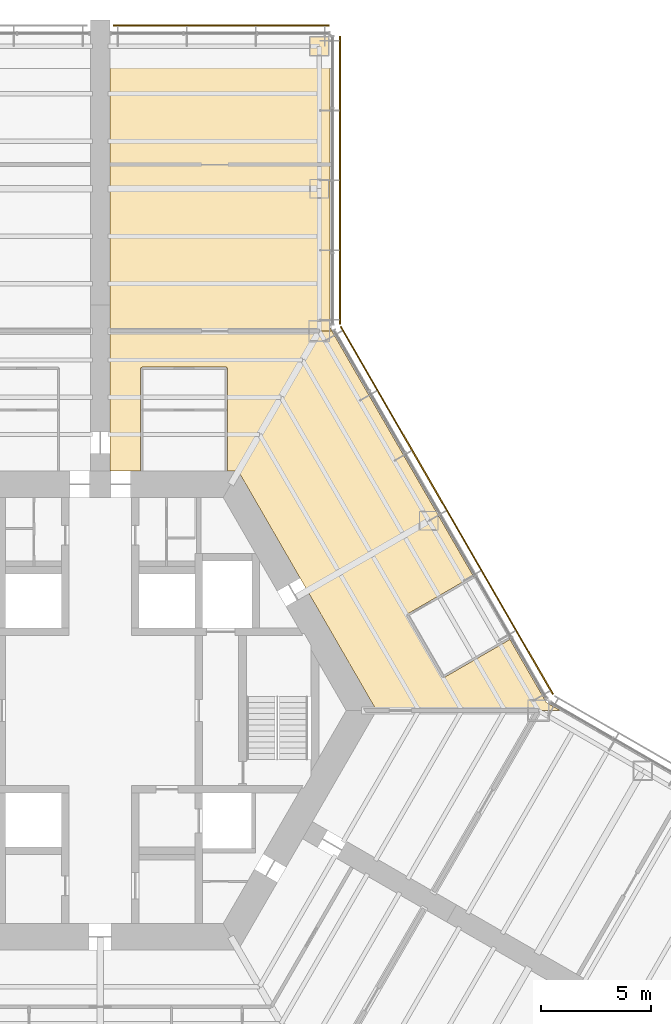
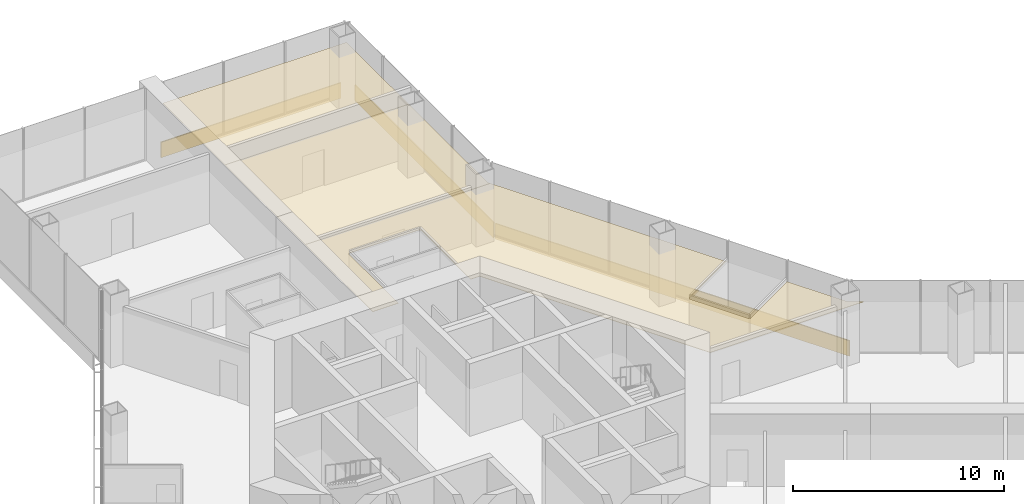
# One storey, part 16 of 16: 3 coverings, 3 shading devices.
"""IFC4 building model written with IfcOpenShell, lengths in metres."""

from ifc_helpers import new_model, si_unit, direction, frame, origin, origin_2d, place, context, subcontext, project, spatial, polyline, rectangle, outline, extrude, material, layer, layer_set, type_object, element, save


model = new_model("IFC4")

# Units and contexts
model_context = context("Model", 3, precision=1e-05, world=origin(), true_north=direction((0.0, 1.0)))
body_context = subcontext(model_context, "Body", "Model", "MODEL_VIEW")
ifc_project = project(units=[si_unit("LENGTHUNIT", "METRE"), si_unit("AREAUNIT", "SQUARE_METRE"), si_unit("VOLUMEUNIT", "CUBIC_METRE"), si_unit("PLANEANGLEUNIT", "RADIAN"), si_unit("MASSUNIT", "GRAM", prefix="KILO")], contexts=[model_context])

# Site, building, storey
site_placement = place(None, origin())
site = spatial("IfcSite", under=ifc_project, at=site_placement, CompositionType="ELEMENT")
building_placement = place(site_placement, origin())
building = spatial("IfcBuilding", under=site, at=building_placement, Name="Kasaneha Research Tower", CompositionType="ELEMENT")
storey_placement = place(building_placement, frame((0.0, 0.0, 26.800048828125)))
storey = spatial("IfcBuildingStorey", under=building, at=storey_placement, Name="L07", CompositionType="ELEMENT", Elevation=26.800048828125)

# Coverings
ifc_material_1 = material(Name="Washable coated ceiling board", Category="gypsum")
ifc_layer_1 = layer(ifc_material_1, 0.02490234375)
ifc_layer_set_1 = layer_set([ifc_layer_1], Name="Laboratory ceiling 25")
covering_type = type_object("IfcCoveringType", Name="Laboratory ceiling 25", PredefinedType="CEILING", material=ifc_layer_set_1)
covering_1_placement = place(storey_placement, frame((0.0, 0.0, 3.0)))
element("IfcCovering", 1, at=covering_1_placement, inside=storey, type_object=covering_type, Name="Ceiling L07-31", PredefinedType="CEILING", context=body_context, shape_type="SweptSolid", body=[
    extrude(outline(polyline([(6.3076171875, 10.925048828125), (5.80712890625, 10.925048828125), (5.80712890625, 15.625), (5.757568359375, 15.625), (5.757568359375, 15.62548828125), (5.757080078125, 15.62548828125), (5.757080078125, 15.675048828125), (1.89990234375, 15.675048828125), (1.89990234375, 15.62548828125), (1.899658203125, 15.62548828125), (1.899658203125, 15.625), (1.85009765625, 15.625), (1.85009765625, 10.925048828125), (0.449951171875, 10.925048828125), (0.449951171875, 11.72509765625), (0.449951171875, 12.72509765625), (0.449951171875, 17.320556640625), (10.577392578125, 17.320556640625), (17.055908203125, 6.09912109375), (17.04736328125, 6.09423828125), (17.022705078125, 6.13720703125), (14.0, 4.39208984375), (14.02490234375, 4.34912109375), (14.024658203125, 4.348876953125), (14.02490234375, 4.3486328125), (13.981689453125, 4.32373046875), (15.60498046875, 1.51220703125), (15.64794921875, 1.537109375), (15.64794921875, 1.537109375), (15.648193359375, 1.537353515625), (15.67333984375, 1.493896484375), (18.68701171875, 3.23388671875), (18.662353515625, 3.27685546875), (18.6796875, 3.286865234375), (20.365966796875, 0.365966796875), (21.0, 0.0), (12.614990234375, 0.0), (6.3076171875, 10.925048828125)])), origin(), (0.0, 0.0, 1.0), 0.02490234375),
])
covering_2_placement = place(storey_placement, frame((0.0, 0.0, 3.0)))
element("IfcCovering", 2, at=covering_2_placement, inside=storey, type_object=covering_type, Name="Ceiling L07-32", PredefinedType="CEILING", context=body_context, shape_type="SweptSolid", body=[
    extrude(outline(polyline([(10.5, 24.92041015625), (10.5, 17.45458984375), (10.577392578125, 17.320556640625), (0.449951171875, 17.320556640625), (0.449951171875, 24.92041015625), (10.5, 24.92041015625)])), origin(), (0.0, 0.0, 1.0), 0.02490234375),
])
covering_3_placement = place(storey_placement, frame((0.0, 0.0, 3.0)))
element("IfcCovering", 3, at=covering_3_placement, inside=storey, type_object=covering_type, Name="Ceiling L07-33", PredefinedType="CEILING", context=body_context, shape_type="SweptSolid", body=[
    extrude(outline(polyline([(10.5, 30.820556640625), (10.5, 24.92041015625), (0.449951171875, 24.92041015625), (0.449951171875, 30.820556640625), (10.5, 30.820556640625)])), origin(), (0.0, 0.0, 1.0), 0.02490234375),
])

# Shading devices
ifc_material_2 = material(Name="Terracotta", Category="masonry")
ifc_layer_2 = layer(ifc_material_2, 0.06005859375)
ifc_layer_set_2 = layer_set([ifc_layer_2], Name="Terracotta baguette screen")
shading_device_type = type_object("IfcShadingDeviceType", Name="Terracotta baguette screen", PredefinedType="USERDEFINED", material=ifc_layer_set_2)
shading_device_1_placement = place(storey_placement, frame((15.82275390625, 9.13525390625, -0.449951171875), z_axis=(0.0, 0.0, 1.0), x_axis=(-0.49999996188, 0.866025425793, 0.0)))
element("IfcShadingDevice", 4, at=shading_device_1_placement, inside=storey, type_object=shading_device_type, Name="Baguette screen L07 07", ObjectType="TERRACOTTA BAGUETTE SCREEN", PredefinedType="USERDEFINED", context=body_context, shape_type="SweptSolid", body=[
    extrude(rectangle(XDim=19.37841796875, YDim=0.06005859375, at=origin_2d()), origin(), (0.0, 0.0, 1.0), 0.89990234375),
])
shading_device_2_placement = place(storey_placement, frame((10.949951171875, 24.200927734375, -0.449951171875), z_axis=(0.0, 0.0, 1.0), x_axis=(0.0, 1.0, 0.0)))
element("IfcShadingDevice", 5, at=shading_device_2_placement, inside=storey, type_object=shading_device_type, Name="Baguette screen L07 08", ObjectType="TERRACOTTA BAGUETTE SCREEN", PredefinedType="USERDEFINED", context=body_context, shape_type="SweptSolid", body=[
    extrude(rectangle(XDim=13.13916015625, YDim=0.06005859375, at=origin_2d()), origin(), (0.0, 0.0, 1.0), 0.89990234375),
])
shading_device_3_placement = place(storey_placement, frame((5.52490234375, 31.2705078125, -0.449951171875), z_axis=(0.0, 0.0, 1.0), x_axis=(-1.0, 0.0, 0.0)))
element("IfcShadingDevice", 6, at=shading_device_3_placement, inside=storey, type_object=shading_device_type, Name="Baguette screen L07 09", ObjectType="TERRACOTTA BAGUETTE SCREEN", PredefinedType="USERDEFINED", context=body_context, shape_type="SweptSolid", body=[
    extrude(rectangle(XDim=9.85009765625, YDim=0.06005859375, at=origin_2d()), origin(), (0.0, 0.0, 1.0), 0.89990234375),
])

save(model, "model.ifc")
